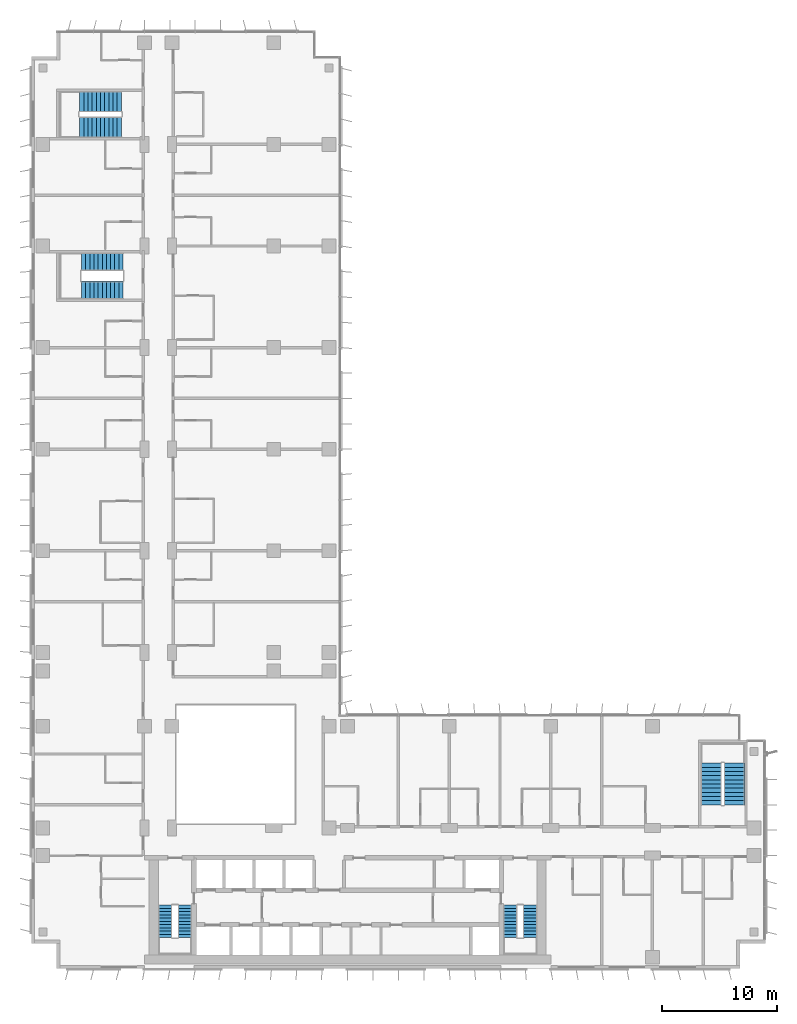
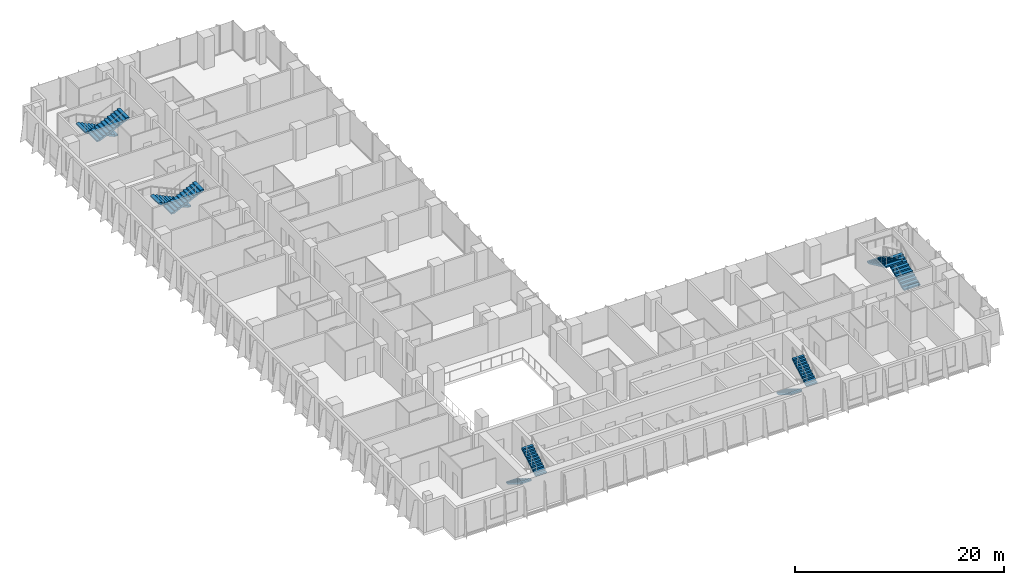
# One storey, part 19 of 23: 10 stair flights, 5 elements without a shape of their own.
"""IFC4 building model written with IfcOpenShell, lengths in metres."""

from ifc_helpers import new_model, si_unit, direction, frame, origin, place, context, subcontext, project, spatial, polyline, outline, extrude, material, type_object, element, aggregate, save


model = new_model("IFC4")

# Units and contexts
model_context = context("Model", 3, precision=1e-05, world=origin(), true_north=direction((0.0, 1.0)))
body_context = subcontext(model_context, "Body", "Model", "MODEL_VIEW")
ifc_project = project(units=[si_unit("LENGTHUNIT", "METRE"), si_unit("AREAUNIT", "SQUARE_METRE"), si_unit("VOLUMEUNIT", "CUBIC_METRE"), si_unit("PLANEANGLEUNIT", "RADIAN"), si_unit("MASSUNIT", "GRAM", prefix="KILO")], contexts=[model_context])

# Site, building, storey
site_placement = place(None, origin())
site = spatial("IfcSite", under=ifc_project, at=site_placement, CompositionType="ELEMENT")
building_placement = place(site_placement, origin())
building = spatial("IfcBuilding", under=site, at=building_placement, Name="Kemantara Hotel Tower", CompositionType="ELEMENT")
storey_placement = place(building_placement, frame((0.0, 0.0, 114.800048828125)))
storey = spatial("IfcBuildingStorey", under=building, at=storey_placement, Name="L27", CompositionType="ELEMENT", Elevation=114.800048828125)

# Stair, stair flights
ifc_material = material(Name="Concrete fc 40 MPa", Category="concrete")
stair_type_1 = type_object("IfcStairType", Name="Stair 1200 wide 22 risers of 168 x 280 mm", PredefinedType="HALF_TURN_STAIR", material=ifc_material)
stair_1_placement = place(storey_placement, origin())
stair_1 = element("IfcStair", 1, at=stair_1_placement, inside=storey, type_object=stair_type_1, Name="L27 Exit stair ST1", PredefinedType="HALF_TURN_STAIR")
stair_flight_type_1 = type_object("IfcStairFlightType", Name="Stair flight 1200 wide 168 x 280 mm", PredefinedType="STRAIGHT", material=ifc_material)
stair_flight_1_placement = place(storey_placement, frame((11.60009765625, 5.5, 0.0), z_axis=(0.0, 0.0, 1.0), x_axis=(0.0, -1.0, 0.0)))
stair_flight_1 = element("IfcStairFlight", 2, at=stair_flight_1_placement, type_object=stair_flight_type_1, Name="ST1 flight 1", NumberOfRisers=11, NumberOfTreads=10, PredefinedType="STRAIGHT", RiserHeight=0.168181818, TreadLength=0.28, context=body_context, shape_type="SweptSolid", body=[
    extrude(outline(polyline([(0.0, 0.0), (0.0, 0.168212890625), (0.280029296875, 0.168212890625), (0.280029296875, 0.33642578125), (0.56005859375, 0.33642578125), (0.56005859375, 0.504638671875), (0.840087890625, 0.504638671875), (0.840087890625, 0.672607421875), (1.1201171875, 0.672607421875), (1.1201171875, 0.8408203125), (1.39990234375, 0.8408203125), (1.39990234375, 1.009033203125), (1.679931640625, 1.009033203125), (1.679931640625, 1.17724609375), (1.9599609375, 1.17724609375), (1.9599609375, 1.345458984375), (2.239990234375, 1.345458984375), (2.239990234375, 1.513671875), (2.52001953125, 1.513671875), (2.52001953125, 1.681884765625), (2.800048828125, 1.681884765625), (2.800048828125, 1.85009765625), (2.800048828125, 1.5068359375), (0.291015625, 0.0), (0.0, 0.0)])), frame((0.0, 0.60009765625, 0.0), z_axis=(0.0, -1.0, 0.0), x_axis=(1.0, 0.0, 0.0)), (0.0, 0.0, 1.0), 1.199951171875),
])
stair_flight_2_placement = place(storey_placement, frame((13.300048828125, 2.699951171875, 1.849853515625), z_axis=(0.0, 0.0, 1.0), x_axis=(0.0, 1.0, 0.0)))
stair_flight_2 = element("IfcStairFlight", 3, at=stair_flight_2_placement, type_object=stair_flight_type_1, Name="ST1 flight 2", NumberOfRisers=11, NumberOfTreads=10, PredefinedType="STRAIGHT", RiserHeight=0.168181818, TreadLength=0.28, context=body_context, shape_type="SweptSolid", body=[
    extrude(outline(polyline([(0.0, 0.0), (0.0, 0.168212890625), (0.280029296875, 0.168212890625), (0.280029296875, 0.33642578125), (0.56005859375, 0.33642578125), (0.56005859375, 0.504638671875), (0.840087890625, 0.504638671875), (0.840087890625, 0.672607421875), (1.1201171875, 0.672607421875), (1.1201171875, 0.8408203125), (1.39990234375, 0.8408203125), (1.39990234375, 1.009033203125), (1.679931640625, 1.009033203125), (1.679931640625, 1.17724609375), (1.9599609375, 1.17724609375), (1.9599609375, 1.345458984375), (2.239990234375, 1.345458984375), (2.239990234375, 1.513671875), (2.52001953125, 1.513671875), (2.52001953125, 1.681884765625), (2.800048828125, 1.681884765625), (2.800048828125, 1.85009765625), (2.800048828125, 1.5068359375), (0.291015625, 0.0), (0.0, 0.0)])), frame((0.0, 0.60009765625, 0.0), z_axis=(0.0, -1.0, 0.0), x_axis=(1.0, 0.0, 0.0)), (0.0, 0.0, 1.0), 1.199951171875),
])
aggregate(stair_1, [stair_flight_1, stair_flight_2])

stair_2_placement = place(storey_placement, origin())
stair_2 = element("IfcStair", 4, at=stair_2_placement, inside=storey, type_object=stair_type_1, Name="L27 Exit stair ST2", PredefinedType="HALF_TURN_STAIR")
stair_flight_3_placement = place(storey_placement, frame((41.5, 5.5, 0.0), z_axis=(0.0, 0.0, 1.0), x_axis=(0.0, -1.0, 0.0)))
stair_flight_3 = element("IfcStairFlight", 5, at=stair_flight_3_placement, type_object=stair_flight_type_1, Name="ST2 flight 1", NumberOfRisers=11, NumberOfTreads=10, PredefinedType="STRAIGHT", RiserHeight=0.168181818, TreadLength=0.28, context=body_context, shape_type="SweptSolid", body=[
    extrude(outline(polyline([(0.0, 0.0), (0.0, 0.168212890625), (0.280029296875, 0.168212890625), (0.280029296875, 0.33642578125), (0.56005859375, 0.33642578125), (0.56005859375, 0.504638671875), (0.840087890625, 0.504638671875), (0.840087890625, 0.672607421875), (1.1201171875, 0.672607421875), (1.1201171875, 0.8408203125), (1.39990234375, 0.8408203125), (1.39990234375, 1.009033203125), (1.679931640625, 1.009033203125), (1.679931640625, 1.17724609375), (1.9599609375, 1.17724609375), (1.9599609375, 1.345458984375), (2.239990234375, 1.345458984375), (2.239990234375, 1.513671875), (2.52001953125, 1.513671875), (2.52001953125, 1.681884765625), (2.800048828125, 1.681884765625), (2.800048828125, 1.85009765625), (2.800048828125, 1.5068359375), (0.291015625, 0.0), (0.0, 0.0)])), frame((0.0, 0.60009765625, 0.0), z_axis=(0.0, -1.0, 0.0), x_axis=(1.0, 0.0, 0.0)), (0.0, 0.0, 1.0), 1.199951171875),
])
stair_flight_4_placement = place(storey_placement, frame((43.199951171875, 2.699951171875, 1.849853515625), z_axis=(0.0, 0.0, 1.0), x_axis=(0.0, 1.0, 0.0)))
stair_flight_4 = element("IfcStairFlight", 6, at=stair_flight_4_placement, type_object=stair_flight_type_1, Name="ST2 flight 2", NumberOfRisers=11, NumberOfTreads=10, PredefinedType="STRAIGHT", RiserHeight=0.168181818, TreadLength=0.28, context=body_context, shape_type="SweptSolid", body=[
    extrude(outline(polyline([(0.0, 0.0), (0.0, 0.168212890625), (0.280029296875, 0.168212890625), (0.280029296875, 0.33642578125), (0.56005859375, 0.33642578125), (0.56005859375, 0.504638671875), (0.840087890625, 0.504638671875), (0.840087890625, 0.672607421875), (1.1201171875, 0.672607421875), (1.1201171875, 0.8408203125), (1.39990234375, 0.8408203125), (1.39990234375, 1.009033203125), (1.679931640625, 1.009033203125), (1.679931640625, 1.17724609375), (1.9599609375, 1.17724609375), (1.9599609375, 1.345458984375), (2.239990234375, 1.345458984375), (2.239990234375, 1.513671875), (2.52001953125, 1.513671875), (2.52001953125, 1.681884765625), (2.800048828125, 1.681884765625), (2.800048828125, 1.85009765625), (2.800048828125, 1.5068359375), (0.291015625, 0.0), (0.0, 0.0)])), frame((0.0, 0.60009765625, 0.0), z_axis=(0.0, -1.0, 0.0), x_axis=(1.0, 0.0, 0.0)), (0.0, 0.0, 1.0), 1.199951171875),
])
aggregate(stair_2, [stair_flight_3, stair_flight_4])

stair_type_2 = type_object("IfcStairType", Name="Stair 1550 wide 22 risers of 168 x 360 mm", PredefinedType="HALF_TURN_STAIR", material=ifc_material)
stair_3_placement = place(storey_placement, origin())
stair_3 = element("IfcStair", 7, at=stair_3_placement, inside=storey, type_object=stair_type_2, Name="L27 Exit stair ST4", PredefinedType="HALF_TURN_STAIR")
stair_flight_type_2 = type_object("IfcStairFlightType", Name="Stair flight 1550 wide 168 x 360 mm", PredefinedType="STRAIGHT", material=ifc_material)
stair_flight_5_placement = place(storey_placement, frame((7.949951171875, 61.22509765625, 0.0), z_axis=(0.0, 0.0, 1.0), x_axis=(-1.0, 0.0, 0.0)))
stair_flight_5 = element("IfcStairFlight", 8, at=stair_flight_5_placement, type_object=stair_flight_type_2, Name="ST4 flight 1", NumberOfRisers=11, NumberOfTreads=10, PredefinedType="STRAIGHT", RiserHeight=0.168181818, TreadLength=0.36, context=body_context, shape_type="SweptSolid", body=[
    extrude(outline(polyline([(0.0, 0.0), (0.0, 0.168212890625), (0.360107421875, 0.168212890625), (0.360107421875, 0.33642578125), (0.719970703125, 0.33642578125), (0.719970703125, 0.504638671875), (1.080078125, 0.504638671875), (1.080078125, 0.672607421875), (1.43994140625, 0.672607421875), (1.43994140625, 0.8408203125), (1.800048828125, 0.8408203125), (1.800048828125, 1.009033203125), (2.159912109375, 1.009033203125), (2.159912109375, 1.17724609375), (2.52001953125, 1.17724609375), (2.52001953125, 1.345458984375), (2.8798828125, 1.345458984375), (2.8798828125, 1.513671875), (3.239990234375, 1.513671875), (3.239990234375, 1.681884765625), (3.60009765625, 1.681884765625), (3.60009765625, 1.85009765625), (3.60009765625, 1.516357421875), (0.354248046875, 0.0), (0.0, 0.0)])), frame((0.0, 0.77490234375, 0.0), z_axis=(0.0, -1.0, 0.0), x_axis=(1.0, 0.0, 0.0)), (0.0, 0.0, 1.0), 1.550048828125),
])
stair_flight_6_placement = place(storey_placement, frame((4.35009765625, 58.77490234375, 1.849853515625), z_axis=(0.0, 0.0, 1.0), x_axis=(1.0, 0.0, 0.0)))
stair_flight_6 = element("IfcStairFlight", 9, at=stair_flight_6_placement, type_object=stair_flight_type_2, Name="ST4 flight 2", NumberOfRisers=11, NumberOfTreads=10, PredefinedType="STRAIGHT", RiserHeight=0.168181818, TreadLength=0.36, context=body_context, shape_type="SweptSolid", body=[
    extrude(outline(polyline([(0.0, 0.0), (0.0, 0.168212890625), (0.360107421875, 0.168212890625), (0.360107421875, 0.33642578125), (0.719970703125, 0.33642578125), (0.719970703125, 0.504638671875), (1.080078125, 0.504638671875), (1.080078125, 0.672607421875), (1.43994140625, 0.672607421875), (1.43994140625, 0.8408203125), (1.800048828125, 0.8408203125), (1.800048828125, 1.009033203125), (2.159912109375, 1.009033203125), (2.159912109375, 1.17724609375), (2.52001953125, 1.17724609375), (2.52001953125, 1.345458984375), (2.8798828125, 1.345458984375), (2.8798828125, 1.513671875), (3.239990234375, 1.513671875), (3.239990234375, 1.681884765625), (3.60009765625, 1.681884765625), (3.60009765625, 1.85009765625), (3.60009765625, 1.516357421875), (0.354248046875, 0.0), (0.0, 0.0)])), frame((0.0, 0.77490234375, 0.0), z_axis=(0.0, -1.0, 0.0), x_axis=(1.0, 0.0, 0.0)), (0.0, 0.0, 1.0), 1.550048828125),
])
aggregate(stair_3, [stair_flight_5, stair_flight_6])

stair_type_3 = type_object("IfcStairType", Name="Stair 1800 wide 22 risers of 168 x 360 mm", PredefinedType="HALF_TURN_STAIR", material=ifc_material)
stair_4_placement = place(storey_placement, origin())
stair_4 = element("IfcStair", 10, at=stair_4_placement, inside=storey, type_object=stair_type_3, Name="L27 Exit stair ST3", PredefinedType="HALF_TURN_STAIR")
stair_flight_type_3 = type_object("IfcStairFlightType", Name="Stair flight 1800 wide 168 x 360 mm", PredefinedType="STRAIGHT", material=ifc_material)
stair_flight_7_placement = place(storey_placement, frame((60.89990234375, 14.199951171875, 0.0), z_axis=(0.0, 0.0, 1.0), x_axis=(0.0, 1.0, 0.0)))
stair_flight_7 = element("IfcStairFlight", 11, at=stair_flight_7_placement, type_object=stair_flight_type_3, Name="ST3 flight 1", NumberOfRisers=11, NumberOfTreads=10, PredefinedType="STRAIGHT", RiserHeight=0.168181818, TreadLength=0.36, context=body_context, shape_type="SweptSolid", body=[
    extrude(outline(polyline([(0.0, 0.0), (0.0, 0.168212890625), (0.360107421875, 0.168212890625), (0.360107421875, 0.33642578125), (0.719970703125, 0.33642578125), (0.719970703125, 0.504638671875), (1.080078125, 0.504638671875), (1.080078125, 0.672607421875), (1.43994140625, 0.672607421875), (1.43994140625, 0.8408203125), (1.800048828125, 0.8408203125), (1.800048828125, 1.009033203125), (2.159912109375, 1.009033203125), (2.159912109375, 1.17724609375), (2.52001953125, 1.17724609375), (2.52001953125, 1.345458984375), (2.8798828125, 1.345458984375), (2.8798828125, 1.513671875), (3.239990234375, 1.513671875), (3.239990234375, 1.681884765625), (3.60009765625, 1.681884765625), (3.60009765625, 1.85009765625), (3.60009765625, 1.516357421875), (0.354248046875, 0.0), (0.0, 0.0)])), frame((0.0, 0.89990234375, 0.0), z_axis=(0.0, -1.0, 0.0), x_axis=(1.0, 0.0, 0.0)), (0.0, 0.0, 1.0), 1.800048828125),
])
stair_flight_8_placement = place(storey_placement, frame((58.89990234375, 17.800048828125, 1.849853515625), z_axis=(0.0, 0.0, 1.0), x_axis=(0.0, -1.0, 0.0)))
stair_flight_8 = element("IfcStairFlight", 12, at=stair_flight_8_placement, type_object=stair_flight_type_3, Name="ST3 flight 2", NumberOfRisers=11, NumberOfTreads=10, PredefinedType="STRAIGHT", RiserHeight=0.168181818, TreadLength=0.36, context=body_context, shape_type="SweptSolid", body=[
    extrude(outline(polyline([(0.0, 0.0), (0.0, 0.168212890625), (0.360107421875, 0.168212890625), (0.360107421875, 0.33642578125), (0.719970703125, 0.33642578125), (0.719970703125, 0.504638671875), (1.080078125, 0.504638671875), (1.080078125, 0.672607421875), (1.43994140625, 0.672607421875), (1.43994140625, 0.8408203125), (1.800048828125, 0.8408203125), (1.800048828125, 1.009033203125), (2.159912109375, 1.009033203125), (2.159912109375, 1.17724609375), (2.52001953125, 1.17724609375), (2.52001953125, 1.345458984375), (2.8798828125, 1.345458984375), (2.8798828125, 1.513671875), (3.239990234375, 1.513671875), (3.239990234375, 1.681884765625), (3.60009765625, 1.681884765625), (3.60009765625, 1.85009765625), (3.60009765625, 1.516357421875), (0.354248046875, 0.0), (0.0, 0.0)])), frame((0.0, 0.89990234375, 0.0), z_axis=(0.0, -1.0, 0.0), x_axis=(1.0, 0.0, 0.0)), (0.0, 0.0, 1.0), 1.800048828125),
])
aggregate(stair_4, [stair_flight_7, stair_flight_8])

stair_5_placement = place(storey_placement, origin())
stair_5 = element("IfcStair", 13, at=stair_5_placement, inside=storey, type_object=stair_type_3, Name="L27 Exit stair ST6", PredefinedType="HALF_TURN_STAIR")
stair_flight_9_placement = place(storey_placement, frame((7.800048828125, 75.10009765625, 0.0), z_axis=(0.0, 0.0, 1.0), x_axis=(-1.0, 0.0, 0.0)))
stair_flight_9 = element("IfcStairFlight", 14, at=stair_flight_9_placement, type_object=stair_flight_type_3, Name="ST6 flight 1", NumberOfRisers=11, NumberOfTreads=10, PredefinedType="STRAIGHT", RiserHeight=0.168181818, TreadLength=0.36, context=body_context, shape_type="SweptSolid", body=[
    extrude(outline(polyline([(0.0, 0.0), (0.0, 0.168212890625), (0.360107421875, 0.168212890625), (0.360107421875, 0.33642578125), (0.719970703125, 0.33642578125), (0.719970703125, 0.504638671875), (1.080078125, 0.504638671875), (1.080078125, 0.672607421875), (1.43994140625, 0.672607421875), (1.43994140625, 0.8408203125), (1.800048828125, 0.8408203125), (1.800048828125, 1.009033203125), (2.159912109375, 1.009033203125), (2.159912109375, 1.17724609375), (2.52001953125, 1.17724609375), (2.52001953125, 1.345458984375), (2.8798828125, 1.345458984375), (2.8798828125, 1.513671875), (3.239990234375, 1.513671875), (3.239990234375, 1.681884765625), (3.60009765625, 1.681884765625), (3.60009765625, 1.85009765625), (3.60009765625, 1.516357421875), (0.354248046875, 0.0), (0.0, 0.0)])), frame((0.0, 0.89990234375, 0.0), z_axis=(0.0, -1.0, 0.0), x_axis=(1.0, 0.0, 0.0)), (0.0, 0.0, 1.0), 1.800048828125),
])
stair_flight_10_placement = place(storey_placement, frame((4.199951171875, 72.89990234375, 1.849853515625), z_axis=(0.0, 0.0, 1.0), x_axis=(1.0, 0.0, 0.0)))
stair_flight_10 = element("IfcStairFlight", 15, at=stair_flight_10_placement, type_object=stair_flight_type_3, Name="ST6 flight 2", NumberOfRisers=11, NumberOfTreads=10, PredefinedType="STRAIGHT", RiserHeight=0.168181818, TreadLength=0.36, context=body_context, shape_type="SweptSolid", body=[
    extrude(outline(polyline([(0.0, 0.0), (0.0, 0.168212890625), (0.360107421875, 0.168212890625), (0.360107421875, 0.33642578125), (0.719970703125, 0.33642578125), (0.719970703125, 0.504638671875), (1.080078125, 0.504638671875), (1.080078125, 0.672607421875), (1.43994140625, 0.672607421875), (1.43994140625, 0.8408203125), (1.800048828125, 0.8408203125), (1.800048828125, 1.009033203125), (2.159912109375, 1.009033203125), (2.159912109375, 1.17724609375), (2.52001953125, 1.17724609375), (2.52001953125, 1.345458984375), (2.8798828125, 1.345458984375), (2.8798828125, 1.513671875), (3.239990234375, 1.513671875), (3.239990234375, 1.681884765625), (3.60009765625, 1.681884765625), (3.60009765625, 1.85009765625), (3.60009765625, 1.516357421875), (0.354248046875, 0.0), (0.0, 0.0)])), frame((0.0, 0.89990234375, 0.0), z_axis=(0.0, -1.0, 0.0), x_axis=(1.0, 0.0, 0.0)), (0.0, 0.0, 1.0), 1.800048828125),
])
aggregate(stair_5, [stair_flight_9, stair_flight_10])

save(model, "model.ifc")
